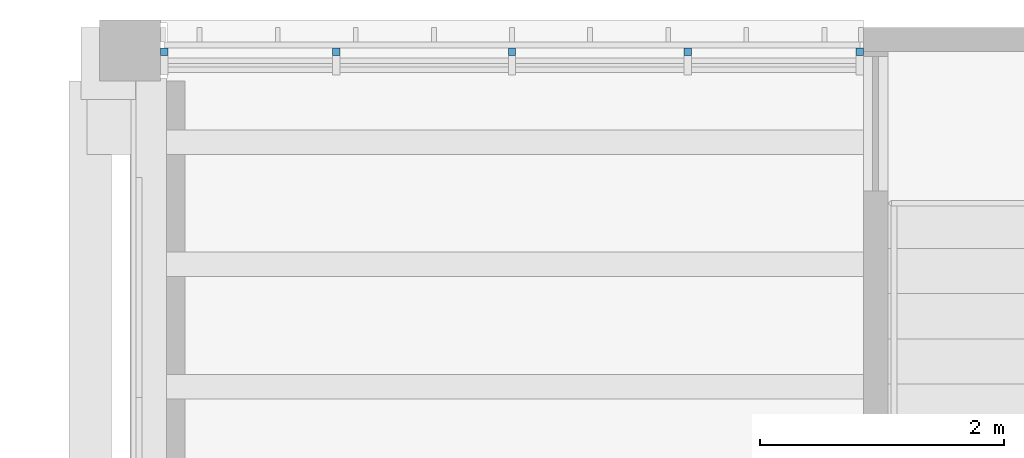
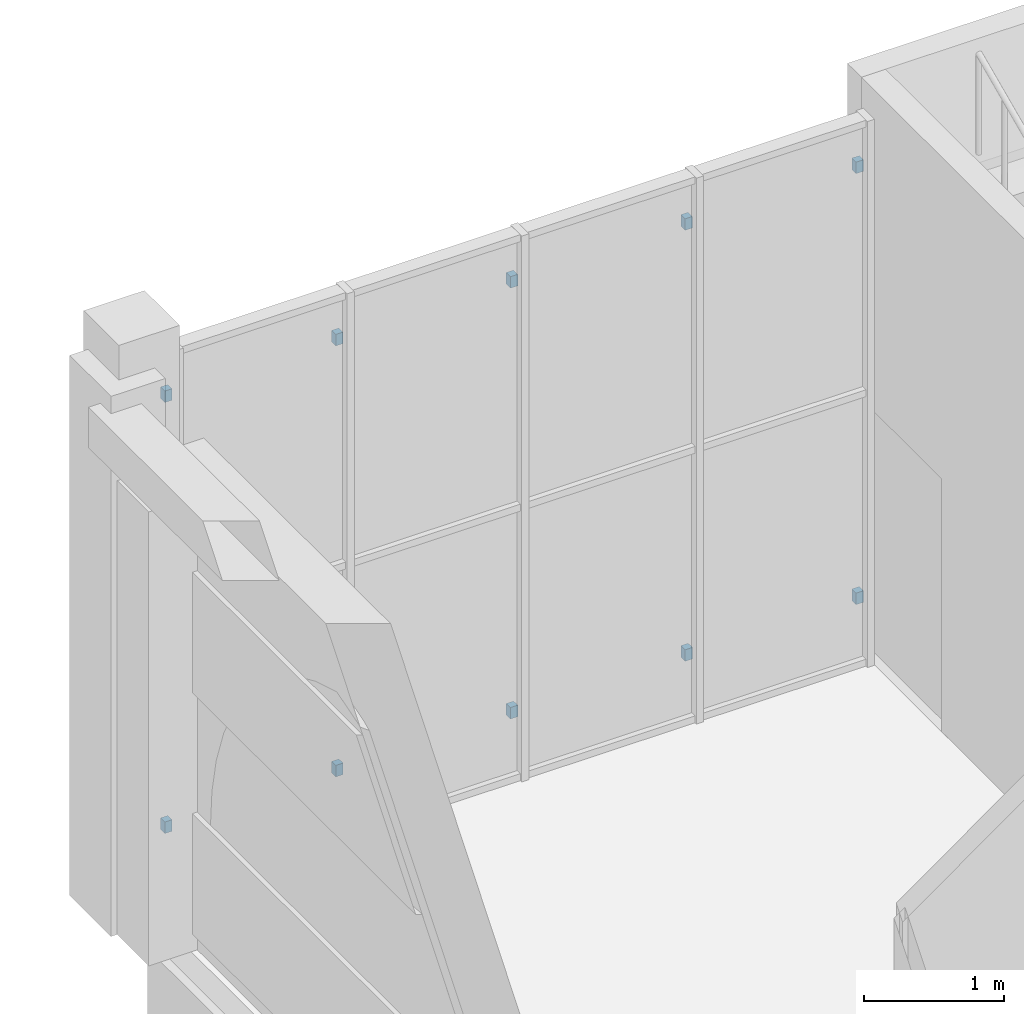
# One storey, part 57 of 80: 10 discrete accessories.
"""IFC4 building model written with IfcOpenShell, lengths in metres."""

from ifc_helpers import new_model, si_unit, direction, frame, origin, origin_2d, place, context, subcontext, project, spatial, rectangle, extrude, element, save


model = new_model("IFC4")

# Units and contexts
model_context = context("Model", 3, precision=1e-05, world=origin(), true_north=direction((0.0, 1.0)))
body_context = subcontext(model_context, "Body", "Model", "MODEL_VIEW")
ifc_project = project(units=[si_unit("LENGTHUNIT", "METRE"), si_unit("AREAUNIT", "SQUARE_METRE"), si_unit("VOLUMEUNIT", "CUBIC_METRE"), si_unit("PLANEANGLEUNIT", "RADIAN"), si_unit("MASSUNIT", "GRAM", prefix="KILO")], contexts=[model_context])

# Site, building, storey
site_placement = place(None, origin())
site = spatial("IfcSite", under=ifc_project, at=site_placement, CompositionType="ELEMENT")
building_placement = place(site_placement, origin())
building = spatial("IfcBuilding", under=site, at=building_placement, Name="Saffron Lane Theatres", CompositionType="ELEMENT")
storey_placement = place(building_placement, frame((0.0, 0.0, 7.0)))
storey = spatial("IfcBuildingStorey", under=building, at=storey_placement, Name="L01", CompositionType="ELEMENT", Elevation=7.0)

# Discrete accessories
for number, where, z_axis, x_axis, name in (
    (1, (54.280029296875, 125.739990234375, 0.449951171875), (0.0, 0.0, 1.0), (1.0, 0.0, 0.0), "Lattice bracket"),
    (2, (54.280029296875, 125.739990234375, 4.199951171875), (0.0, 0.0, 1.0), (1.0, 0.0, 0.0), "Lattice bracket"),
    (3, (55.6875, 125.739990234375, 0.449951171875), (0.0, 0.0, 1.0), (1.0, 0.0, 0.0), "Lattice bracket"),
    (4, (55.6875, 125.739990234375, 4.199951171875), (0.0, 0.0, 1.0), (1.0, 0.0, 0.0), "Lattice bracket"),
    (5, (57.125, 125.739990234375, 0.449951171875), (0.0, 0.0, 1.0), (1.0, 0.0, 0.0), "Lattice bracket"),
    (6, (57.125, 125.739990234375, 4.199951171875), (0.0, 0.0, 1.0), (1.0, 0.0, 0.0), "Lattice bracket"),
    (7, (58.5625, 125.739990234375, 0.449951171875), (0.0, 0.0, 1.0), (1.0, 0.0, 0.0), "Lattice bracket"),
    (8, (58.5625, 125.739990234375, 4.199951171875), (0.0, 0.0, 1.0), (1.0, 0.0, 0.0), "Lattice bracket"),
    (9, (59.969970703125, 125.739990234375, 0.449951171875), (0.0, 0.0, 1.0), (1.0, 0.0, 0.0), "Lattice bracket"),
    (10, (59.969970703125, 125.739990234375, 4.199951171875), (0.0, 0.0, 1.0), (1.0, 0.0, 0.0), "Lattice bracket"),
):
    element("IfcDiscreteAccessory", number, at=place(storey_placement, frame(where, z_axis=z_axis, x_axis=x_axis)), inside=storey, Name=name, PredefinedType="BRACKET", context=body_context, shape_type="SweptSolid", body=[
        extrude(rectangle(XDim=0.06005859375, YDim=0.06005859375, at=origin_2d()), origin(), (0.0, 0.0, 1.0), 0.10009765625),
    ])

save(model, "model.ifc")
